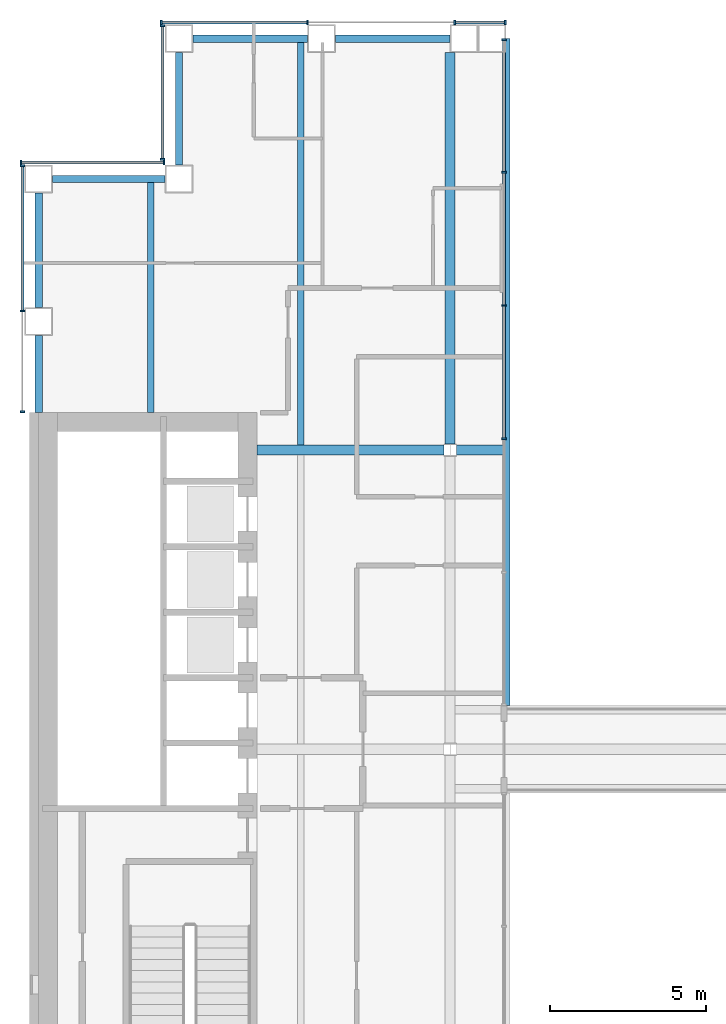
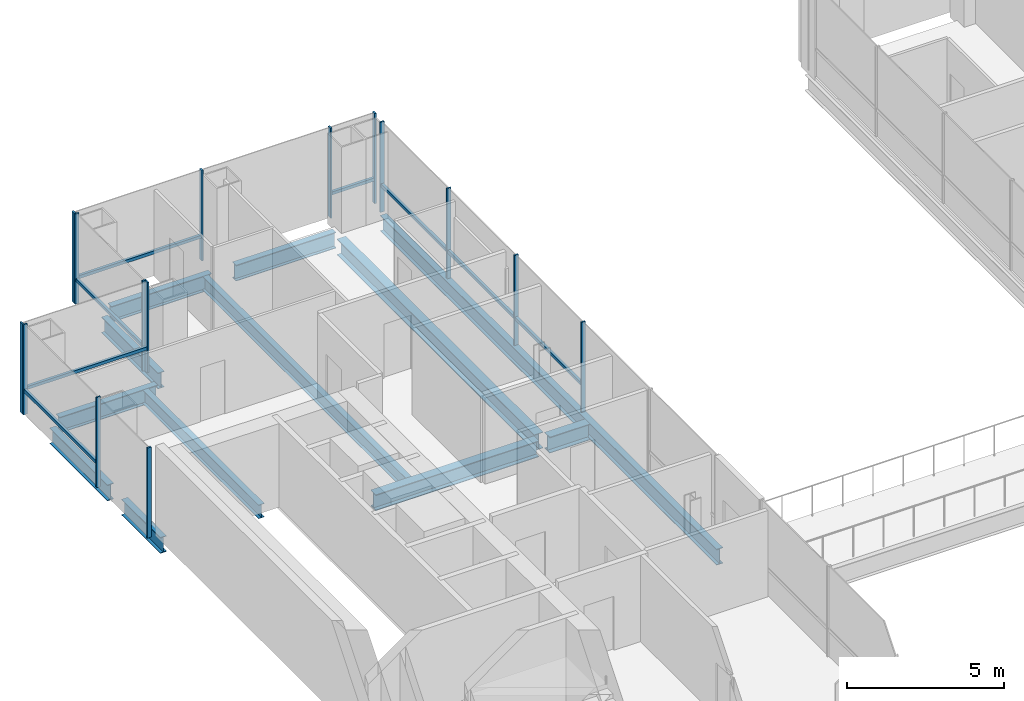
# One storey, part 7 of 16: 23 members, 12 beams, 5 elements without a shape of their own.
"""IFC4 building model written with IfcOpenShell, lengths in metres."""

from ifc_helpers import new_model, si_unit, direction, frame, origin, origin_2d, place, context, subcontext, project, spatial, rectangle, i_section, extrude, material, material_profile, profile_set, type_object, element, aggregate, save


model = new_model("IFC4")

# Units and contexts
model_context = context("Model", 3, precision=1e-05, world=origin(), true_north=direction((0.0, 1.0)))
body_context = subcontext(model_context, "Body", "Model", "MODEL_VIEW")
ifc_project = project(units=[si_unit("LENGTHUNIT", "METRE"), si_unit("AREAUNIT", "SQUARE_METRE"), si_unit("VOLUMEUNIT", "CUBIC_METRE"), si_unit("PLANEANGLEUNIT", "RADIAN"), si_unit("MASSUNIT", "GRAM", prefix="KILO")], contexts=[model_context])

# Site, building, storey
site_placement = place(None, origin())
site = spatial("IfcSite", under=ifc_project, at=site_placement, CompositionType="ELEMENT")
building_placement = place(site_placement, origin())
building = spatial("IfcBuilding", under=site, at=building_placement, Name="Cobrizo Arcos Hotel Tower", CompositionType="ELEMENT")
storey_placement = place(building_placement, frame((0.0, 0.0, 127.5)))
storey = spatial("IfcBuildingStorey", under=building, at=storey_placement, Name="L32", CompositionType="ELEMENT", Elevation=127.5)

# Curtain wall, members
ifc_material_1 = material(Name="Aluminium 6063-T6 anodised bronze", Category="aluminium")
curtain_wall_type_1 = type_object("IfcCurtainWallType", Name="CW-A guest facade", PredefinedType="NOTDEFINED", material=ifc_material_1)
curtain_wall_1_placement = place(storey_placement, origin())
curtain_wall_1 = element("IfcCurtainWall", 1, at=curtain_wall_1_placement, inside=storey, type_object=curtain_wall_type_1, Name="CW-A L32 N face", PredefinedType="NOTDEFINED")
ifc_material_profile_1 = material_profile(ifc_material_1, rectangle(XDim=0.14990234375, YDim=0.06005859375, at=origin_2d()), Name="CW-A mullion 150x60")
ifc_profile_set_1 = profile_set([ifc_material_profile_1], Name="Aluminium 6063-T6 anodised bronze")
member_type_1 = type_object("IfcMemberType", Name="CW-A mullion 150x60", PredefinedType="MULLION", material=ifc_profile_set_1)
member_1_placement = place(storey_placement, frame((-7.830078125, 23.324951171875, 0.0), z_axis=(0.0, 0.0, 1.0), x_axis=(0.0, 1.0, 0.0)))
member_1 = element("IfcMember", 2, at=member_1_placement, type_object=member_type_1, Name="CW-A mullion 1", PredefinedType="MULLION", context=body_context, shape_type="SweptSolid", body=[
    extrude(rectangle(XDim=0.14990234375, YDim=0.06005859375, at=origin_2d()), origin(), (0.0, 0.0, 1.0), 3.5),
])
member_2_placement = place(storey_placement, frame((-9.449951171875, 23.324951171875, 0.0), z_axis=(0.0, 0.0, 1.0), x_axis=(0.0, 1.0, 0.0)))
member_2 = element("IfcMember", 3, at=member_2_placement, type_object=member_type_1, Name="CW-A mullion 2", PredefinedType="MULLION", context=body_context, shape_type="SweptSolid", body=[
    extrude(rectangle(XDim=0.14990234375, YDim=0.06005859375, at=origin_2d()), origin(), (0.0, 0.0, 1.0), 3.5),
])
member_3_placement = place(storey_placement, frame((-14.175048828125, 23.324951171875, 0.0), z_axis=(0.0, 0.0, 1.0), x_axis=(0.0, 1.0, 0.0)))
member_3 = element("IfcMember", 4, at=member_3_placement, type_object=member_type_1, Name="CW-A mullion 3", PredefinedType="MULLION", context=body_context, shape_type="SweptSolid", body=[
    extrude(rectangle(XDim=0.14990234375, YDim=0.06005859375, at=origin_2d()), origin(), (0.0, 0.0, 1.0), 3.5),
])
member_4_placement = place(storey_placement, frame((-18.8701171875, 23.324951171875, 0.0), z_axis=(0.0, 0.0, 1.0), x_axis=(0.0, 1.0, 0.0)))
member_4 = element("IfcMember", 5, at=member_4_placement, type_object=member_type_1, Name="CW-A mullion 4", PredefinedType="MULLION", context=body_context, shape_type="SweptSolid", body=[
    extrude(rectangle(XDim=0.14990234375, YDim=0.06005859375, at=origin_2d()), origin(), (0.0, 0.0, 1.0), 3.5),
])

curtain_wall_2_placement = place(storey_placement, origin())
curtain_wall_2 = element("IfcCurtainWall", 6, at=curtain_wall_2_placement, inside=storey, type_object=curtain_wall_type_1, Name="CW-A L32 W face", PredefinedType="NOTDEFINED")
member_5_placement = place(storey_placement, frame((-18.824951171875, 23.219970703125, 0.0), z_axis=(0.0, 0.0, 1.0), x_axis=(-1.0, 0.0, 0.0)))
member_5 = element("IfcMember", 7, at=member_5_placement, type_object=member_type_1, Name="CW-A mullion 1", PredefinedType="MULLION", context=body_context, shape_type="SweptSolid", body=[
    extrude(rectangle(XDim=0.14990234375, YDim=0.06005859375, at=origin_2d()), origin(), (0.0, 0.0, 1.0), 3.5),
])
member_6_placement = place(storey_placement, frame((-18.824951171875, 18.929931640625, 0.0), z_axis=(0.0, 0.0, 1.0), x_axis=(-1.0, 0.0, 0.0)))
member_6 = element("IfcMember", 8, at=member_6_placement, type_object=member_type_1, Name="CW-A mullion 2", PredefinedType="MULLION", context=body_context, shape_type="SweptSolid", body=[
    extrude(rectangle(XDim=0.14990234375, YDim=0.06005859375, at=origin_2d()), origin(), (0.0, 0.0, 1.0), 3.5),
])

curtain_wall_3_placement = place(storey_placement, origin())
curtain_wall_3 = element("IfcCurtainWall", 9, at=curtain_wall_3_placement, inside=storey, type_object=curtain_wall_type_1, Name="CW-A L32 N face", PredefinedType="NOTDEFINED")
member_7_placement = place(storey_placement, frame((-18.780029296875, 18.824951171875, 0.0), z_axis=(0.0, 0.0, 1.0), x_axis=(0.0, 1.0, 0.0)))
member_7 = element("IfcMember", 10, at=member_7_placement, type_object=member_type_1, Name="CW-A mullion 1", PredefinedType="MULLION", context=body_context, shape_type="SweptSolid", body=[
    extrude(rectangle(XDim=0.14990234375, YDim=0.06005859375, at=origin_2d()), origin(), (0.0, 0.0, 1.0), 3.5),
])
member_8_placement = place(storey_placement, frame((-23.3701171875, 18.824951171875, 0.0), z_axis=(0.0, 0.0, 1.0), x_axis=(0.0, 1.0, 0.0)))
member_8 = element("IfcMember", 11, at=member_8_placement, type_object=member_type_1, Name="CW-A mullion 2", PredefinedType="MULLION", context=body_context, shape_type="SweptSolid", body=[
    extrude(rectangle(XDim=0.14990234375, YDim=0.06005859375, at=origin_2d()), origin(), (0.0, 0.0, 1.0), 3.5),
])

curtain_wall_4_placement = place(storey_placement, origin())
curtain_wall_4 = element("IfcCurtainWall", 12, at=curtain_wall_4_placement, inside=storey, type_object=curtain_wall_type_1, Name="CW-A L32 W face", PredefinedType="NOTDEFINED")
member_9_placement = place(storey_placement, frame((-23.324951171875, 18.719970703125, 0.0), z_axis=(0.0, 0.0, 1.0), x_axis=(-1.0, 0.0, 0.0)))
member_9 = element("IfcMember", 13, at=member_9_placement, type_object=member_type_1, Name="CW-A mullion 1", PredefinedType="MULLION", context=body_context, shape_type="SweptSolid", body=[
    extrude(rectangle(XDim=0.14990234375, YDim=0.06005859375, at=origin_2d()), origin(), (0.0, 0.0, 1.0), 3.5),
])
member_10_placement = place(storey_placement, frame((-23.324951171875, 14.0625, 0.0), z_axis=(0.0, 0.0, 1.0), x_axis=(-1.0, 0.0, 0.0)))
member_10 = element("IfcMember", 14, at=member_10_placement, type_object=member_type_1, Name="CW-A mullion 2", PredefinedType="MULLION", context=body_context, shape_type="SweptSolid", body=[
    extrude(rectangle(XDim=0.14990234375, YDim=0.06005859375, at=origin_2d()), origin(), (0.0, 0.0, 1.0), 3.5),
])
member_11_placement = place(storey_placement, frame((-23.324951171875, 10.830078125, 0.0), z_axis=(0.0, 0.0, 1.0), x_axis=(-1.0, 0.0, 0.0)))
member_11 = element("IfcMember", 15, at=member_11_placement, type_object=member_type_1, Name="CW-A mullion 3", PredefinedType="MULLION", context=body_context, shape_type="SweptSolid", body=[
    extrude(rectangle(XDim=0.14990234375, YDim=0.06005859375, at=origin_2d()), origin(), (0.0, 0.0, 1.0), 3.5),
])

# Member
ifc_material_profile_2 = material_profile(ifc_material_1, rectangle(XDim=0.10009765625, YDim=0.1201171875, at=origin_2d()), Name="CW-A transom 120x100")
ifc_profile_set_2 = profile_set([ifc_material_profile_2], Name="Aluminium 6063-T6 anodised bronze")
member_type_2 = type_object("IfcMemberType", Name="CW-A transom 120x100", PredefinedType="USERDEFINED", material=ifc_profile_set_2)
member_12_placement = place(storey_placement, frame((-7.860107421875, 23.324951171875, 0.929931640625), z_axis=(-1.0, 0.0, 0.0), x_axis=(0.0, -1.0, 0.0)))
member_12 = element("IfcMember", 16, at=member_12_placement, type_object=member_type_2, Name="CW-A transom 1208", ObjectType="TRANSOM", PredefinedType="USERDEFINED", context=body_context, shape_type="SweptSolid", body=[
    extrude(rectangle(XDim=0.10009765625, YDim=0.1201171875, at=origin_2d()), origin(), (0.0, 0.0, 1.0), 1.559814453125),
])

member_13_placement = place(storey_placement, frame((-14.205078125, 23.324951171875, 0.929931640625), z_axis=(-1.0, 0.0, 0.0), x_axis=(0.0, -1.0, 0.0)))
member_13 = element("IfcMember", 17, at=member_13_placement, type_object=member_type_2, Name="CW-A transom 1210", ObjectType="TRANSOM", PredefinedType="USERDEFINED", context=body_context, shape_type="SweptSolid", body=[
    extrude(rectangle(XDim=0.10009765625, YDim=0.1201171875, at=origin_2d()), origin(), (0.0, 0.0, 1.0), 4.635009765625),
])

aggregate(curtain_wall_1, [member_1, member_2, member_3, member_4, member_12, member_13])

member_14_placement = place(storey_placement, frame((-18.824951171875, 23.18994140625, 0.929931640625), z_axis=(0.0, -1.0, 0.0), x_axis=(1.0, 0.0, 0.0)))
member_14 = element("IfcMember", 18, at=member_14_placement, type_object=member_type_2, Name="CW-A transom 1211", ObjectType="TRANSOM", PredefinedType="USERDEFINED", context=body_context, shape_type="SweptSolid", body=[
    extrude(rectangle(XDim=0.10009765625, YDim=0.1201171875, at=origin_2d()), origin(), (0.0, 0.0, 1.0), 4.22998046875),
])

aggregate(curtain_wall_2, [member_5, member_6, member_14])

member_15_placement = place(storey_placement, frame((-18.81005859375, 18.824951171875, 0.929931640625), z_axis=(-1.0, 0.0, 0.0), x_axis=(0.0, -1.0, 0.0)))
member_15 = element("IfcMember", 19, at=member_15_placement, type_object=member_type_2, Name="CW-A transom 1212", ObjectType="TRANSOM", PredefinedType="USERDEFINED", context=body_context, shape_type="SweptSolid", body=[
    extrude(rectangle(XDim=0.10009765625, YDim=0.1201171875, at=origin_2d()), origin(), (0.0, 0.0, 1.0), 4.530029296875),
])

aggregate(curtain_wall_3, [member_7, member_8, member_15])

member_16_placement = place(storey_placement, frame((-23.324951171875, 18.68994140625, 0.929931640625), z_axis=(0.0, -1.0, 0.0), x_axis=(1.0, 0.0, 0.0)))
member_16 = element("IfcMember", 20, at=member_16_placement, type_object=member_type_2, Name="CW-A transom 1213", ObjectType="TRANSOM", PredefinedType="USERDEFINED", context=body_context, shape_type="SweptSolid", body=[
    extrude(rectangle(XDim=0.10009765625, YDim=0.1201171875, at=origin_2d()), origin(), (0.0, 0.0, 1.0), 4.597412109375),
])

aggregate(curtain_wall_4, [member_9, member_10, member_11, member_16])

# Curtain wall, members
curtain_wall_type_2 = type_object("IfcCurtainWallType", Name="CW-F void screen", PredefinedType="NOTDEFINED", material=ifc_material_1)
curtain_wall_5_placement = place(storey_placement, origin())
curtain_wall_5 = element("IfcCurtainWall", 21, at=curtain_wall_5_placement, inside=storey, type_object=curtain_wall_type_2, Name="CW-F L32 void screen B", PredefinedType="NOTDEFINED")
ifc_material_profile_3 = material_profile(ifc_material_1, rectangle(XDim=0.14990234375, YDim=0.06005859375, at=origin_2d()), Name="CW-F mullion 150x60")
ifc_profile_set_3 = profile_set([ifc_material_profile_3], Name="Aluminium 6063-T6 anodised bronze")
member_type_3 = type_object("IfcMemberType", Name="CW-F mullion 150x60", PredefinedType="MULLION", material=ifc_profile_set_3)
member_17_placement = place(storey_placement, frame((-7.875, 22.77001953125, 0.0), z_axis=(0.0, 0.0, 1.0), x_axis=(-1.0, 0.0, 0.0)))
member_17 = element("IfcMember", 22, at=member_17_placement, type_object=member_type_3, Name="CW-F mullion 1", PredefinedType="MULLION", context=body_context, shape_type="SweptSolid", body=[
    extrude(rectangle(XDim=0.14990234375, YDim=0.06005859375, at=origin_2d()), origin(), (0.0, 0.0, 1.0), 3.5),
])
member_18_placement = place(storey_placement, frame((-7.875, 18.52001953125, 0.0), z_axis=(0.0, 0.0, 1.0), x_axis=(-1.0, 0.0, 0.0)))
member_18 = element("IfcMember", 23, at=member_18_placement, type_object=member_type_3, Name="CW-F mullion 2", PredefinedType="MULLION", context=body_context, shape_type="SweptSolid", body=[
    extrude(rectangle(XDim=0.14990234375, YDim=0.06005859375, at=origin_2d()), origin(), (0.0, 0.0, 1.0), 3.5),
])
member_19_placement = place(storey_placement, frame((-7.875, 14.239990234375, 0.0), z_axis=(0.0, 0.0, 1.0), x_axis=(-1.0, 0.0, 0.0)))
member_19 = element("IfcMember", 24, at=member_19_placement, type_object=member_type_3, Name="CW-F mullion 3", PredefinedType="MULLION", context=body_context, shape_type="SweptSolid", body=[
    extrude(rectangle(XDim=0.14990234375, YDim=0.06005859375, at=origin_2d()), origin(), (0.0, 0.0, 1.0), 3.5),
])
member_20_placement = place(storey_placement, frame((-7.875, 9.9599609375, 0.0), z_axis=(0.0, 0.0, 1.0), x_axis=(-1.0, 0.0, 0.0)))
member_20 = element("IfcMember", 25, at=member_20_placement, type_object=member_type_3, Name="CW-F mullion 4", PredefinedType="MULLION", context=body_context, shape_type="SweptSolid", body=[
    extrude(rectangle(XDim=0.14990234375, YDim=0.06005859375, at=origin_2d()), origin(), (0.0, 0.0, 1.0), 3.5),
])
ifc_material_profile_4 = material_profile(ifc_material_1, rectangle(XDim=0.10009765625, YDim=0.1201171875, at=origin_2d()), Name="CW-F transom 120x100")
ifc_profile_set_4 = profile_set([ifc_material_profile_4], Name="Aluminium 6063-T6 anodised bronze")
member_type_4 = type_object("IfcMemberType", Name="CW-F transom 120x100", PredefinedType="USERDEFINED", material=ifc_profile_set_4)
member_21_placement = place(storey_placement, frame((-7.875, 22.739990234375, 1.050048828125), z_axis=(0.0, -1.0, 0.0), x_axis=(1.0, 0.0, 0.0)))
member_21 = element("IfcMember", 26, at=member_21_placement, type_object=member_type_4, Name="CW-F transom 2636", ObjectType="TRANSOM", PredefinedType="USERDEFINED", context=body_context, shape_type="SweptSolid", body=[
    extrude(rectangle(XDim=0.10009765625, YDim=0.1201171875, at=origin_2d()), origin(), (0.0, 0.0, 1.0), 4.18994140625),
])
member_22_placement = place(storey_placement, frame((-7.875, 18.489990234375, 1.050048828125), z_axis=(0.0, -1.0, 0.0), x_axis=(1.0, 0.0, 0.0)))
member_22 = element("IfcMember", 27, at=member_22_placement, type_object=member_type_4, Name="CW-F transom 2637", ObjectType="TRANSOM", PredefinedType="USERDEFINED", context=body_context, shape_type="SweptSolid", body=[
    extrude(rectangle(XDim=0.10009765625, YDim=0.1201171875, at=origin_2d()), origin(), (0.0, 0.0, 1.0), 4.219970703125),
])
member_23_placement = place(storey_placement, frame((-7.875, 14.2099609375, 1.050048828125), z_axis=(0.0, -1.0, 0.0), x_axis=(1.0, 0.0, 0.0)))
member_23 = element("IfcMember", 28, at=member_23_placement, type_object=member_type_4, Name="CW-F transom 2638", ObjectType="TRANSOM", PredefinedType="USERDEFINED", context=body_context, shape_type="SweptSolid", body=[
    extrude(rectangle(XDim=0.10009765625, YDim=0.1201171875, at=origin_2d()), origin(), (0.0, 0.0, 1.0), 4.219970703125),
])
aggregate(curtain_wall_5, [member_17, member_18, member_19, member_20, member_21, member_22, member_23])

# Beams
ifc_material_2 = material(Name="Steel ASTM A992 Grade 50", Category="steel")
ifc_material_profile_5 = material_profile(ifc_material_2, i_section(OverallWidth=0.209228515625, OverallDepth=0.533447265625, WebThickness=0.01025390625, FlangeThickness=0.015625, at=origin_2d()), Name="W21X62")
ifc_profile_set_5 = profile_set([ifc_material_profile_5], Name="Steel ASTM A992 Grade 50")
beam_type_1 = type_object("IfcBeamType", Name="W21X62 joist", PredefinedType="JOIST", material=ifc_profile_set_5)
beam_1_placement = place(storey_placement, frame((-19.199951171875, 10.81005859375, -0.416748046875), z_axis=(0.0, 1.0, 0.0), x_axis=(-1.0, 0.0, 0.0)))
element("IfcBeam", 29, at=beam_1_placement, inside=storey, type_object=beam_type_1, Name="Floor joist J1, L32, no. 002", PredefinedType="JOIST", context=body_context, shape_type="SweptSolid", body=[
    extrude(i_section(OverallWidth=0.209228515625, OverallDepth=0.533447265625, WebThickness=0.01025390625, FlangeThickness=0.015625, at=origin_2d()), origin(), (0.0, 0.0, 1.0), 7.39990234375),
])
beam_2_placement = place(storey_placement, frame((-14.39990234375, 9.763916015625, -0.416748046875), z_axis=(0.0, 1.0, 0.0), x_axis=(-1.0, 0.0, 0.0)))
element("IfcBeam", 30, at=beam_2_placement, inside=storey, type_object=beam_type_1, Name="Floor joist J1, L32, no. 006", PredefinedType="JOIST", context=body_context, shape_type="SweptSolid", body=[
    extrude(i_section(OverallWidth=0.209228515625, OverallDepth=0.533447265625, WebThickness=0.01025390625, FlangeThickness=0.015625, at=origin_2d()), origin(), (0.0, 0.0, 1.0), 12.946044921875),
])
ifc_material_profile_6 = material_profile(ifc_material_2, i_section(OverallWidth=0.32763671875, OverallDepth=0.622314453125, WebThickness=0.015380859375, FlangeThickness=0.0244140625, at=origin_2d()), Name="W24X131")
ifc_profile_set_6 = profile_set([ifc_material_profile_6], Name="Steel ASTM A992 Grade 50")
beam_type_2 = type_object("IfcBeamType", Name="W24X131 girder", PredefinedType="BEAM", material=ifc_profile_set_6)
beam_3_placement = place(storey_placement, frame((-15.7900390625, 9.60009765625, -0.461181640625), z_axis=(1.0, 0.0, 0.0), x_axis=(0.0, 1.0, 0.0)))
element("IfcBeam", 31, at=beam_3_placement, inside=storey, type_object=beam_type_2, Name="Floor girder G1, L32, no. 008", PredefinedType="BEAM", context=body_context, shape_type="SweptSolid", body=[
    extrude(i_section(OverallWidth=0.32763671875, OverallDepth=0.622314453125, WebThickness=0.015380859375, FlangeThickness=0.0244140625, at=origin_2d()), origin(), (0.0, 0.0, 1.0), 5.99072265625),
])
beam_4_placement = place(storey_placement, frame((-9.400634765625, 9.60009765625, -0.461181640625), z_axis=(1.0, 0.0, 0.0), x_axis=(0.0, 1.0, 0.0)))
element("IfcBeam", 32, at=beam_4_placement, inside=storey, type_object=beam_type_2, Name="Floor girder G1, L32, no. 009", PredefinedType="BEAM", context=body_context, shape_type="SweptSolid", body=[
    extrude(i_section(OverallWidth=0.32763671875, OverallDepth=0.622314453125, WebThickness=0.015380859375, FlangeThickness=0.0244140625, at=origin_2d()), origin(), (0.0, 0.0, 1.0), 1.5107421875),
])
beam_5_placement = place(storey_placement, frame((-9.60009765625, 9.79931640625, -0.461181640625), z_axis=(0.0, 1.0, 0.0), x_axis=(-1.0, 0.0, 0.0)))
element("IfcBeam", 33, at=beam_5_placement, inside=storey, type_object=beam_type_2, Name="Floor girder G1, L32, no. 015", PredefinedType="BEAM", context=body_context, shape_type="SweptSolid", body=[
    extrude(i_section(OverallWidth=0.32763671875, OverallDepth=0.622314453125, WebThickness=0.015380859375, FlangeThickness=0.0244140625, at=origin_2d()), origin(), (0.0, 0.0, 1.0), 12.55078125),
])
ifc_material_profile_7 = material_profile(ifc_material_2, i_section(OverallWidth=0.23046875, OverallDepth=0.6171875, WebThickness=0.01318359375, FlangeThickness=0.022216796875, at=origin_2d()), Name="W24X94")
ifc_profile_set_7 = profile_set([ifc_material_profile_7], Name="Steel ASTM A992 Grade 50")
beam_type_3 = type_object("IfcBeamType", Name="W24X94 spandrel", PredefinedType="SPANDREL", material=ifc_profile_set_7)
beam_6_placement = place(storey_placement, frame((-22.800048828125, 10.81005859375, -0.45849609375), z_axis=(0.0, 1.0, 0.0), x_axis=(-1.0, 0.0, 0.0)))
element("IfcBeam", 34, at=beam_6_placement, inside=storey, type_object=beam_type_3, Name="Spandrel beam W24X94, L32, no. 018", PredefinedType="SPANDREL", context=body_context, shape_type="SweptSolid", body=[
    extrude(i_section(OverallWidth=0.23046875, OverallDepth=0.6171875, WebThickness=0.01318359375, FlangeThickness=0.022216796875, at=origin_2d()), origin(), (0.0, 0.0, 1.0), 2.46484375),
])
beam_7_placement = place(storey_placement, frame((-22.800048828125, 14.175048828125, -0.45849609375), z_axis=(0.0, 1.0, 0.0), x_axis=(-1.0, 0.0, 0.0)))
element("IfcBeam", 35, at=beam_7_placement, inside=storey, type_object=beam_type_3, Name="Spandrel beam W24X94, L32, no. 019", PredefinedType="SPANDREL", context=body_context, shape_type="SweptSolid", body=[
    extrude(i_section(OverallWidth=0.23046875, OverallDepth=0.6171875, WebThickness=0.01318359375, FlangeThickness=0.022216796875, at=origin_2d()), origin(), (0.0, 0.0, 1.0), 3.675048828125),
])
for number, where, z_axis, x_axis, name in (
    (36, (-22.35009765625, 18.300048828125, -0.45849609375), (1.0, 0.0, 0.0), (0.0, 1.0, 0.0), "Spandrel beam W24X94, L32, no. 020"),
    (37, (-18.300048828125, 18.75, -0.45849609375), (0.0, 1.0, 0.0), (-1.0, 0.0, 0.0), "Spandrel beam W24X94, L32, no. 021"),
):
    element("IfcBeam", number, at=place(storey_placement, frame(where, z_axis=z_axis, x_axis=x_axis)), inside=storey, type_object=beam_type_3, Name=name, PredefinedType="SPANDREL", context=body_context, shape_type="SweptSolid", body=[
        extrude(i_section(OverallWidth=0.23046875, OverallDepth=0.6171875, WebThickness=0.01318359375, FlangeThickness=0.022216796875, at=origin_2d()), origin(), (0.0, 0.0, 1.0), 3.60009765625),
    ])
beam_8_placement = place(storey_placement, frame((-17.85009765625, 22.800048828125, -0.45849609375), z_axis=(1.0, 0.0, 0.0), x_axis=(0.0, 1.0, 0.0)))
element("IfcBeam", 38, at=beam_8_placement, inside=storey, type_object=beam_type_3, Name="Spandrel beam W24X94, L32, no. 022", PredefinedType="SPANDREL", context=body_context, shape_type="SweptSolid", body=[
    extrude(i_section(OverallWidth=0.23046875, OverallDepth=0.6171875, WebThickness=0.01318359375, FlangeThickness=0.022216796875, at=origin_2d()), origin(), (0.0, 0.0, 1.0), 3.675048828125),
])
beam_9_placement = place(storey_placement, frame((-13.27490234375, 22.800048828125, -0.45849609375), z_axis=(1.0, 0.0, 0.0), x_axis=(0.0, 1.0, 0.0)))
element("IfcBeam", 39, at=beam_9_placement, inside=storey, type_object=beam_type_3, Name="Spandrel beam W24X94, L32, no. 023", PredefinedType="SPANDREL", context=body_context, shape_type="SweptSolid", body=[
    extrude(i_section(OverallWidth=0.23046875, OverallDepth=0.6171875, WebThickness=0.01318359375, FlangeThickness=0.022216796875, at=origin_2d()), origin(), (0.0, 0.0, 1.0), 3.6748046875),
])
beam_10_placement = place(storey_placement, frame((-7.800048828125, 22.800048828125, -0.45849609375), z_axis=(0.0, -1.0, 0.0), x_axis=(1.0, 0.0, 0.0)))
element("IfcBeam", 40, at=beam_10_placement, inside=storey, type_object=beam_type_3, Name="Spandrel beam W24X94, L32, no. 024", PredefinedType="SPANDREL", context=body_context, shape_type="SweptSolid", body=[
    extrude(i_section(OverallWidth=0.23046875, OverallDepth=0.6171875, WebThickness=0.01318359375, FlangeThickness=0.022216796875, at=origin_2d()), origin(), (0.0, 0.0, 1.0), 21.400146484375),
])

save(model, "model.ifc")
